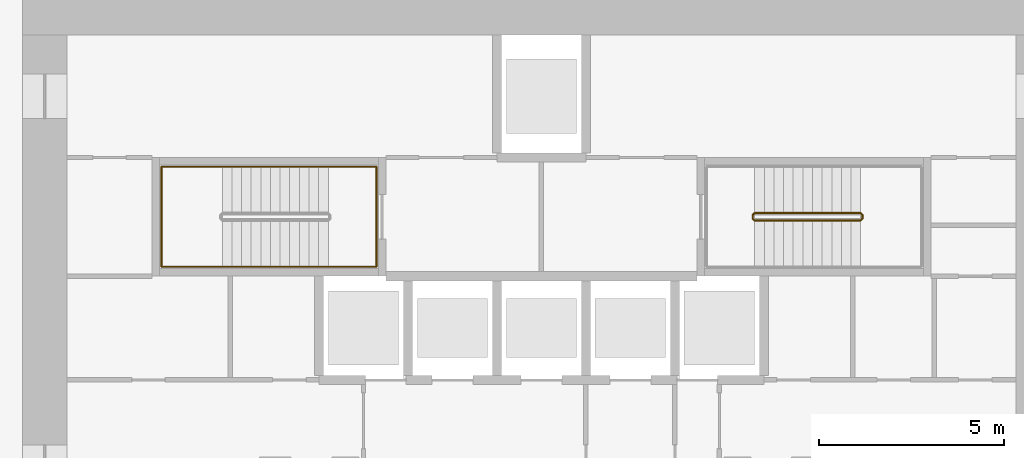
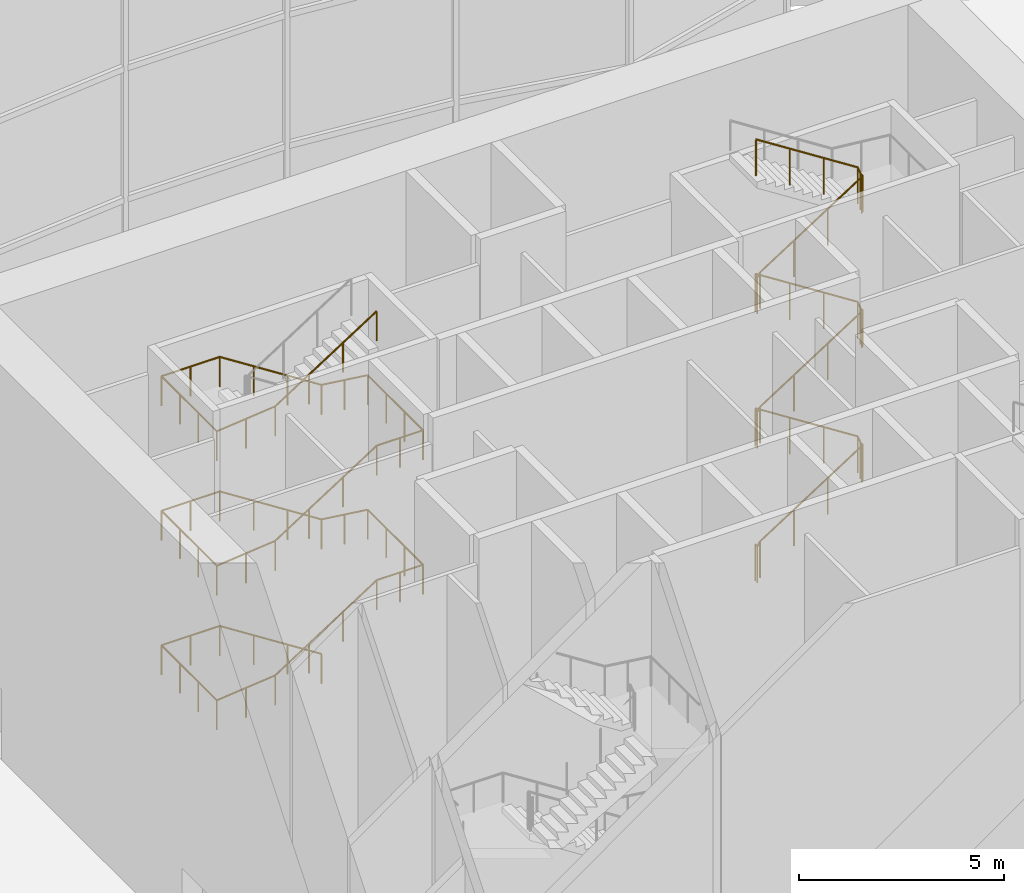
# One storey, part 21 of 25: 2 railings.
"""IFC4 building model written with IfcOpenShell, lengths in metres."""

from ifc_helpers import new_model, si_unit, direction, frame, origin, origin_2d, place, context, subcontext, project, spatial, circle, extrude, source, transform, mapped, material, type_object, element, save


model = new_model("IFC4")

# Units and contexts
model_context = context("Model", 3, precision=1e-05, world=origin(), true_north=direction((0.0, 1.0)))
body_context = subcontext(model_context, "Body", "Model", "MODEL_VIEW")
ifc_project = project(units=[si_unit("LENGTHUNIT", "METRE"), si_unit("AREAUNIT", "SQUARE_METRE"), si_unit("VOLUMEUNIT", "CUBIC_METRE"), si_unit("PLANEANGLEUNIT", "RADIAN"), si_unit("MASSUNIT", "GRAM", prefix="KILO")], contexts=[model_context])

# Site, building, storey
site_placement = place(None, origin())
site = spatial("IfcSite", under=ifc_project, at=site_placement, CompositionType="ELEMENT")
building_placement = place(site_placement, origin())
building = spatial("IfcBuilding", under=site, at=building_placement, Name="Embergate Tower", CompositionType="ELEMENT")
storey_placement = place(building_placement, origin())
storey = spatial("IfcBuildingStorey", under=building, at=storey_placement, Name="L00", CompositionType="ELEMENT", Elevation=0.0)

# Railings
ifc_material_1 = material(Name="Stair handrail 900")
railing_type_1 = type_object("IfcRailingType", Name="Stair handrail 900", PredefinedType="HANDRAIL", material=ifc_material_1)
shared_shape_1 = source(origin(), body_context, "Body", "SweptSolid", [
    extrude(circle(Radius=0.02392578125, at=origin_2d()), frame((0.0, 0.0, 0.8759765625), z_axis=(-0.841899231129, 0.0, 0.539634769658), x_axis=(0.0, -1.0, 0.0)), (0.0, 0.0, 1.0), 3.397216796875),
    extrude(circle(Radius=0.02392578125, at=origin_2d()), frame((-2.860107421875, 0.0, 2.708984375), z_axis=(-1.0, 0.0, 0.0), x_axis=(0.0, -1.0, 0.0)), (0.0, 0.0, 1.0), 1.639892578125),
    extrude(circle(Radius=0.02392578125, at=origin_2d()), frame((-4.5, 0.0, 2.708984375), z_axis=(0.0, -1.0, 0.0), x_axis=(1.0, 0.0, 0.0)), (0.0, 0.0, 1.0), 2.699951171875),
    extrude(circle(Radius=0.02392578125, at=origin_2d()), frame((-4.5, -2.699951171875, 2.708984375), z_axis=(0.99487010061, 0.0, 0.101160678683), x_axis=(0.0, 1.0, 0.0)), (0.0, 0.0, 1.0), 1.6484375),
    extrude(circle(Radius=0.02392578125, at=origin_2d()), frame((-2.860107421875, -2.699951171875, 2.8759765625), z_axis=(0.841899231129, 0.0, 0.539634769658), x_axis=(0.0, 1.0, 0.0)), (0.0, 0.0, 1.0), 3.397216796875),
    extrude(circle(Radius=0.02392578125, at=origin_2d()), frame((0.0, -2.699951171875, 4.708984375), z_axis=(1.0, 0.0, 0.0), x_axis=(0.0, 1.0, 0.0)), (0.0, 0.0, 1.0), 1.300048828125),
    extrude(circle(Radius=0.02392578125, at=origin_2d()), frame((1.300048828125, -2.699951171875, 4.708984375), z_axis=(0.0, 1.0, 0.0), x_axis=(-1.0, 0.0, 0.0)), (0.0, 0.0, 1.0), 2.699951171875),
    extrude(circle(Radius=0.02392578125, at=origin_2d()), frame((1.300048828125, 0.0, 4.708984375), z_axis=(-0.991874434073, 0.0, 0.12722070206), x_axis=(0.0, -1.0, 0.0)), (0.0, 0.0, 1.0), 1.310791015625),
    extrude(circle(Radius=0.02392578125, at=origin_2d()), frame((0.0, 0.0, 4.8759765625), z_axis=(-0.841899231129, 0.0, 0.539634769658), x_axis=(0.0, -1.0, 0.0)), (0.0, 0.0, 1.0), 3.397216796875),
    extrude(circle(Radius=0.02392578125, at=origin_2d()), frame((-2.860107421875, 0.0, 6.708984375), z_axis=(-1.0, 0.0, 0.0), x_axis=(0.0, -1.0, 0.0)), (0.0, 0.0, 1.0), 1.639892578125),
    extrude(circle(Radius=0.02392578125, at=origin_2d()), frame((-4.5, 0.0, 6.708984375), z_axis=(0.0, -1.0, 0.0), x_axis=(1.0, 0.0, 0.0)), (0.0, 0.0, 1.0), 2.699951171875),
    extrude(circle(Radius=0.02392578125, at=origin_2d()), frame((-4.5, -2.699951171875, 6.708984375), z_axis=(0.99487010061, 0.0, 0.101160678683), x_axis=(0.0, 1.0, 0.0)), (0.0, 0.0, 1.0), 1.6484375),
    extrude(circle(Radius=0.02392578125, at=origin_2d()), frame((-2.860107421875, -2.699951171875, 6.8759765625), z_axis=(0.841899231129, 0.0, 0.539634769658), x_axis=(0.0, 1.0, 0.0)), (0.0, 0.0, 1.0), 3.397216796875),
    extrude(circle(Radius=0.02392578125, at=origin_2d()), frame((0.0, -2.699951171875, 8.708984375), z_axis=(1.0, 0.0, 0.0), x_axis=(0.0, 1.0, 0.0)), (0.0, 0.0, 1.0), 1.300048828125),
    extrude(circle(Radius=0.02392578125, at=origin_2d()), frame((1.300048828125, -2.699951171875, 8.708984375), z_axis=(0.0, 1.0, 0.0), x_axis=(-1.0, 0.0, 0.0)), (0.0, 0.0, 1.0), 2.699951171875),
    extrude(circle(Radius=0.02392578125, at=origin_2d()), frame((1.300048828125, 0.0, 8.708984375), z_axis=(-0.991874434073, 0.0, 0.12722070206), x_axis=(0.0, -1.0, 0.0)), (0.0, 0.0, 1.0), 1.310791015625),
    extrude(circle(Radius=0.02392578125, at=origin_2d()), frame((0.0, 0.0, 8.8759765625), z_axis=(-0.841899231129, 0.0, 0.539634769658), x_axis=(0.0, -1.0, 0.0)), (0.0, 0.0, 1.0), 3.397216796875),
    extrude(circle(Radius=0.02392578125, at=origin_2d()), frame((-2.860107421875, 0.0, 10.708984375), z_axis=(-1.0, 0.0, 0.0), x_axis=(0.0, -1.0, 0.0)), (0.0, 0.0, 1.0), 1.639892578125),
    extrude(circle(Radius=0.02392578125, at=origin_2d()), frame((-4.5, 0.0, 10.708984375), z_axis=(0.0, -1.0, 0.0), x_axis=(1.0, 0.0, 0.0)), (0.0, 0.0, 1.0), 2.699951171875),
    extrude(circle(Radius=0.02392578125, at=origin_2d()), frame((-4.5, -2.699951171875, 10.708984375), z_axis=(0.99487010061, 0.0, 0.101160678683), x_axis=(0.0, 1.0, 0.0)), (0.0, 0.0, 1.0), 1.6484375),
    extrude(circle(Radius=0.02392578125, at=origin_2d()), frame((-2.860107421875, -2.699951171875, 10.8759765625), z_axis=(0.841899231129, 0.0, 0.539634769658), x_axis=(0.0, 1.0, 0.0)), (0.0, 0.0, 1.0), 3.397216796875),
    extrude(circle(Radius=0.02099609375, at=origin_2d()), origin(), (0.0, 0.0, 1.0), 0.851806640625),
    extrude(circle(Radius=0.02099609375, at=origin_2d()), frame((-0.953369140625, 0.0, 0.611083984375)), (0.0, 0.0, 1.0), 0.851806640625),
    extrude(circle(Radius=0.02099609375, at=origin_2d()), frame((-1.90673828125, 0.0, 1.22216796875)), (0.0, 0.0, 1.0), 0.851806640625),
    extrude(circle(Radius=0.02099609375, at=origin_2d()), frame((-2.860107421875, 0.0, 1.833251953125)), (0.0, 0.0, 1.0), 0.851806640625),
    extrude(circle(Radius=0.02099609375, at=origin_2d()), frame((-3.68017578125, 0.0, 1.833251953125)), (0.0, 0.0, 1.0), 0.851806640625),
    extrude(circle(Radius=0.02099609375, at=origin_2d()), frame((-4.5, 0.0, 1.833251953125)), (0.0, 0.0, 1.0), 0.851806640625),
    extrude(circle(Radius=0.02099609375, at=origin_2d()), frame((-4.5, -0.89990234375, 1.833251953125)), (0.0, 0.0, 1.0), 0.851806640625),
    extrude(circle(Radius=0.02099609375, at=origin_2d()), frame((-4.5, -1.800048828125, 1.833251953125)), (0.0, 0.0, 1.0), 0.851806640625),
    extrude(circle(Radius=0.02099609375, at=origin_2d()), frame((-4.5, -2.699951171875, 1.833251953125)), (0.0, 0.0, 1.0), 0.851806640625),
    extrude(circle(Radius=0.02099609375, at=origin_2d()), frame((-3.68017578125, -2.699951171875, 1.91650390625)), (0.0, 0.0, 1.0), 0.851806640625),
    extrude(circle(Radius=0.02099609375, at=origin_2d()), frame((-2.860107421875, -2.699951171875, 2.0)), (0.0, 0.0, 1.0), 0.851806640625),
    extrude(circle(Radius=0.02099609375, at=origin_2d()), frame((-1.90673828125, -2.699951171875, 2.611083984375)), (0.0, 0.0, 1.0), 0.851806640625),
    extrude(circle(Radius=0.02099609375, at=origin_2d()), frame((-0.953369140625, -2.699951171875, 3.22216796875)), (0.0, 0.0, 1.0), 0.851806640625),
    extrude(circle(Radius=0.02099609375, at=origin_2d()), frame((0.0, -2.699951171875, 3.833251953125)), (0.0, 0.0, 1.0), 0.851806640625),
    extrude(circle(Radius=0.02099609375, at=origin_2d()), frame((0.64990234375, -2.699951171875, 3.833251953125)), (0.0, 0.0, 1.0), 0.851806640625),
    extrude(circle(Radius=0.02099609375, at=origin_2d()), frame((1.300048828125, -2.699951171875, 3.833251953125)), (0.0, 0.0, 1.0), 0.851806640625),
    extrude(circle(Radius=0.02099609375, at=origin_2d()), frame((1.300048828125, -1.800048828125, 3.833251953125)), (0.0, 0.0, 1.0), 0.851806640625),
    extrude(circle(Radius=0.02099609375, at=origin_2d()), frame((1.300048828125, -0.89990234375, 3.833251953125)), (0.0, 0.0, 1.0), 0.851806640625),
    extrude(circle(Radius=0.02099609375, at=origin_2d()), frame((1.300048828125, 0.0, 3.833251953125)), (0.0, 0.0, 1.0), 0.851806640625),
    extrude(circle(Radius=0.02099609375, at=origin_2d()), frame((0.64990234375, 0.0, 3.91650390625)), (0.0, 0.0, 1.0), 0.851806640625),
    extrude(circle(Radius=0.02099609375, at=origin_2d()), frame((0.0, 0.0, 4.0)), (0.0, 0.0, 1.0), 0.851806640625),
    extrude(circle(Radius=0.02099609375, at=origin_2d()), frame((-0.953369140625, 0.0, 4.611083984375)), (0.0, 0.0, 1.0), 0.851806640625),
    extrude(circle(Radius=0.02099609375, at=origin_2d()), frame((-1.90673828125, 0.0, 5.22216796875)), (0.0, 0.0, 1.0), 0.851806640625),
    extrude(circle(Radius=0.02099609375, at=origin_2d()), frame((-2.860107421875, 0.0, 5.833251953125)), (0.0, 0.0, 1.0), 0.851806640625),
    extrude(circle(Radius=0.02099609375, at=origin_2d()), frame((-3.68017578125, 0.0, 5.833251953125)), (0.0, 0.0, 1.0), 0.851806640625),
    extrude(circle(Radius=0.02099609375, at=origin_2d()), frame((-4.5, 0.0, 5.833251953125)), (0.0, 0.0, 1.0), 0.851806640625),
    extrude(circle(Radius=0.02099609375, at=origin_2d()), frame((-4.5, -0.89990234375, 5.833251953125)), (0.0, 0.0, 1.0), 0.851806640625),
    extrude(circle(Radius=0.02099609375, at=origin_2d()), frame((-4.5, -1.800048828125, 5.833251953125)), (0.0, 0.0, 1.0), 0.851806640625),
    extrude(circle(Radius=0.02099609375, at=origin_2d()), frame((-4.5, -2.699951171875, 5.833251953125)), (0.0, 0.0, 1.0), 0.851806640625),
    extrude(circle(Radius=0.02099609375, at=origin_2d()), frame((-3.68017578125, -2.699951171875, 5.91650390625)), (0.0, 0.0, 1.0), 0.851806640625),
    extrude(circle(Radius=0.02099609375, at=origin_2d()), frame((-2.860107421875, -2.699951171875, 6.0)), (0.0, 0.0, 1.0), 0.851806640625),
    extrude(circle(Radius=0.02099609375, at=origin_2d()), frame((-1.90673828125, -2.699951171875, 6.611083984375)), (0.0, 0.0, 1.0), 0.851806640625),
    extrude(circle(Radius=0.02099609375, at=origin_2d()), frame((-0.953369140625, -2.699951171875, 7.22216796875)), (0.0, 0.0, 1.0), 0.851806640625),
    extrude(circle(Radius=0.02099609375, at=origin_2d()), frame((0.0, -2.699951171875, 7.833251953125)), (0.0, 0.0, 1.0), 0.851806640625),
    extrude(circle(Radius=0.02099609375, at=origin_2d()), frame((0.64990234375, -2.699951171875, 7.833251953125)), (0.0, 0.0, 1.0), 0.851806640625),
    extrude(circle(Radius=0.02099609375, at=origin_2d()), frame((1.300048828125, -2.699951171875, 7.833251953125)), (0.0, 0.0, 1.0), 0.851806640625),
    extrude(circle(Radius=0.02099609375, at=origin_2d()), frame((1.300048828125, -1.800048828125, 7.833251953125)), (0.0, 0.0, 1.0), 0.851806640625),
    extrude(circle(Radius=0.02099609375, at=origin_2d()), frame((1.300048828125, -0.89990234375, 7.833251953125)), (0.0, 0.0, 1.0), 0.851806640625),
    extrude(circle(Radius=0.02099609375, at=origin_2d()), frame((1.300048828125, 0.0, 7.833251953125)), (0.0, 0.0, 1.0), 0.851806640625),
    extrude(circle(Radius=0.02099609375, at=origin_2d()), frame((0.64990234375, 0.0, 7.91650390625)), (0.0, 0.0, 1.0), 0.851806640625),
    extrude(circle(Radius=0.02099609375, at=origin_2d()), frame((0.0, 0.0, 8.0)), (0.0, 0.0, 1.0), 0.851806640625),
    extrude(circle(Radius=0.02099609375, at=origin_2d()), frame((-0.953369140625, 0.0, 8.611083984375)), (0.0, 0.0, 1.0), 0.851806640625),
    extrude(circle(Radius=0.02099609375, at=origin_2d()), frame((-1.90673828125, 0.0, 9.22216796875)), (0.0, 0.0, 1.0), 0.851806640625),
    extrude(circle(Radius=0.02099609375, at=origin_2d()), frame((-2.860107421875, 0.0, 9.833251953125)), (0.0, 0.0, 1.0), 0.851806640625),
    extrude(circle(Radius=0.02099609375, at=origin_2d()), frame((-3.68017578125, 0.0, 9.833251953125)), (0.0, 0.0, 1.0), 0.851806640625),
    extrude(circle(Radius=0.02099609375, at=origin_2d()), frame((-4.5, 0.0, 9.833251953125)), (0.0, 0.0, 1.0), 0.851806640625),
    extrude(circle(Radius=0.02099609375, at=origin_2d()), frame((-4.5, -0.89990234375, 9.833251953125)), (0.0, 0.0, 1.0), 0.851806640625),
    extrude(circle(Radius=0.02099609375, at=origin_2d()), frame((-4.5, -1.800048828125, 9.833251953125)), (0.0, 0.0, 1.0), 0.851806640625),
    extrude(circle(Radius=0.02099609375, at=origin_2d()), frame((-4.5, -2.699951171875, 9.833251953125)), (0.0, 0.0, 1.0), 0.851806640625),
    extrude(circle(Radius=0.02099609375, at=origin_2d()), frame((-3.68017578125, -2.699951171875, 9.91650390625)), (0.0, 0.0, 1.0), 0.851806640625),
    extrude(circle(Radius=0.02099609375, at=origin_2d()), frame((-2.860107421875, -2.699951171875, 10.0)), (0.0, 0.0, 1.0), 0.851806640625),
    extrude(circle(Radius=0.02099609375, at=origin_2d()), frame((-1.90673828125, -2.699951171875, 10.611083984375)), (0.0, 0.0, 1.0), 0.851806640625),
    extrude(circle(Radius=0.02099609375, at=origin_2d()), frame((-0.953369140625, -2.699951171875, 11.22216796875)), (0.0, 0.0, 1.0), 0.851806640625),
    extrude(circle(Radius=0.02099609375, at=origin_2d()), frame((0.0, -2.699951171875, 11.833251953125)), (0.0, 0.0, 1.0), 0.851806640625),
])
railing_1_placement = place(storey_placement, frame((-5.75, 8.25, 0.166748046875)))
element("IfcRailing", 1, at=railing_1_placement, inside=storey, type_object=railing_type_1, Name="L00 ST1 stair handrail 1", PredefinedType="HANDRAIL", context=body_context, shape_type="MappedRepresentation", body=[
    mapped(shared_shape_1, transform((0.0, 0.0, 0.0))),
])
ifc_material_2 = material(Name="Stair guard 1100")
railing_type_2 = type_object("IfcRailingType", Name="Stair guard 1100", PredefinedType="GUARDRAIL", material=ifc_material_2)
shared_shape_2 = source(origin(), body_context, "Body", "SweptSolid", [
    extrude(circle(Radius=0.02392578125, at=origin_2d()), frame((0.0, 0.0, 1.076171875), z_axis=(0.0, -1.0, 0.0), x_axis=(1.0, 0.0, 0.0)), (0.0, 0.0, 1.0), 0.099853515625),
    extrude(circle(Radius=0.02392578125, at=origin_2d()), frame((0.0, -0.099853515625, 1.076171875), z_axis=(0.27628659633, -0.27628659633, 0.920506074601), x_axis=(0.707106781187, 0.707106781187, 0.0)), (0.0, 0.0, 1.0), 0.18115234375),
    extrude(circle(Radius=0.02392578125, at=origin_2d()), frame((0.050048828125, -0.14990234375, 1.24267578125), z_axis=(0.841899231129, 0.0, 0.539634769658), x_axis=(0.0, 1.0, 0.0)), (0.0, 0.0, 1.0), 3.397216796875),
    extrude(circle(Radius=0.02392578125, at=origin_2d()), frame((2.91015625, -0.14990234375, 3.076171875), z_axis=(0.705375805398, 0.708833529934, 0.0), x_axis=(-0.708833529934, 0.705375805398, 0.0)), (0.0, 0.0, 1.0), 0.070556640625),
    extrude(circle(Radius=0.02392578125, at=origin_2d()), frame((2.9599609375, -0.099853515625, 3.076171875), z_axis=(0.0, 1.0, 0.0), x_axis=(-1.0, 0.0, 0.0)), (0.0, 0.0, 1.0), 0.099853515625),
    extrude(circle(Radius=0.02392578125, at=origin_2d()), frame((2.9599609375, 0.0, 3.076171875), z_axis=(-0.275041040955, 0.276389281352, 0.920848191041), x_axis=(-0.708833529934, -0.705375805398, 0.0)), (0.0, 0.0, 1.0), 0.18115234375),
    extrude(circle(Radius=0.02392578125, at=origin_2d()), frame((2.91015625, 0.050048828125, 3.24267578125), z_axis=(-0.841899231129, 0.0, 0.539634769658), x_axis=(0.0, -1.0, 0.0)), (0.0, 0.0, 1.0), 3.397216796875),
    extrude(circle(Radius=0.02392578125, at=origin_2d()), frame((0.050048828125, 0.050048828125, 5.076171875), z_axis=(-0.707106781187, -0.707106781187, 0.0), x_axis=(0.707106781187, -0.707106781187, 0.0)), (0.0, 0.0, 1.0), 0.07080078125),
    extrude(circle(Radius=0.02392578125, at=origin_2d()), frame((0.0, 0.0, 5.076171875), z_axis=(0.0, -1.0, 0.0), x_axis=(1.0, 0.0, 0.0)), (0.0, 0.0, 1.0), 0.099853515625),
    extrude(circle(Radius=0.02392578125, at=origin_2d()), frame((0.0, -0.099853515625, 5.076171875), z_axis=(0.27628659633, -0.27628659633, 0.920506074601), x_axis=(0.707106781187, 0.707106781187, 0.0)), (0.0, 0.0, 1.0), 0.18115234375),
    extrude(circle(Radius=0.02392578125, at=origin_2d()), frame((0.050048828125, -0.14990234375, 5.24267578125), z_axis=(0.841899231129, 0.0, 0.539634769658), x_axis=(0.0, 1.0, 0.0)), (0.0, 0.0, 1.0), 3.397216796875),
    extrude(circle(Radius=0.02392578125, at=origin_2d()), frame((2.91015625, -0.14990234375, 7.076171875), z_axis=(0.705375805398, 0.708833529934, 0.0), x_axis=(-0.708833529934, 0.705375805398, 0.0)), (0.0, 0.0, 1.0), 0.070556640625),
    extrude(circle(Radius=0.02392578125, at=origin_2d()), frame((2.9599609375, -0.099853515625, 7.076171875), z_axis=(0.0, 1.0, 0.0), x_axis=(-1.0, 0.0, 0.0)), (0.0, 0.0, 1.0), 0.099853515625),
    extrude(circle(Radius=0.02392578125, at=origin_2d()), frame((2.9599609375, 0.0, 7.076171875), z_axis=(-0.275041040955, 0.276389281352, 0.920848191041), x_axis=(-0.708833529934, -0.705375805398, 0.0)), (0.0, 0.0, 1.0), 0.18115234375),
    extrude(circle(Radius=0.02392578125, at=origin_2d()), frame((2.91015625, 0.050048828125, 7.24267578125), z_axis=(-0.841899231129, 0.0, 0.539634769658), x_axis=(0.0, -1.0, 0.0)), (0.0, 0.0, 1.0), 3.397216796875),
    extrude(circle(Radius=0.02392578125, at=origin_2d()), frame((0.050048828125, 0.050048828125, 9.076171875), z_axis=(-0.707106781187, -0.707106781187, 0.0), x_axis=(0.707106781187, -0.707106781187, 0.0)), (0.0, 0.0, 1.0), 0.07080078125),
    extrude(circle(Radius=0.02392578125, at=origin_2d()), frame((0.0, 0.0, 9.076171875), z_axis=(0.0, -1.0, 0.0), x_axis=(1.0, 0.0, 0.0)), (0.0, 0.0, 1.0), 0.099853515625),
    extrude(circle(Radius=0.02392578125, at=origin_2d()), frame((0.0, -0.099853515625, 9.076171875), z_axis=(0.27628659633, -0.27628659633, 0.920506074601), x_axis=(0.707106781187, 0.707106781187, 0.0)), (0.0, 0.0, 1.0), 0.18115234375),
    extrude(circle(Radius=0.02392578125, at=origin_2d()), frame((0.050048828125, -0.14990234375, 9.24267578125), z_axis=(0.841899231129, 0.0, 0.539634769658), x_axis=(0.0, 1.0, 0.0)), (0.0, 0.0, 1.0), 3.397216796875),
    extrude(circle(Radius=0.02392578125, at=origin_2d()), frame((2.91015625, -0.14990234375, 11.076171875), z_axis=(0.705375805398, 0.708833529934, 0.0), x_axis=(-0.708833529934, 0.705375805398, 0.0)), (0.0, 0.0, 1.0), 0.070556640625),
    extrude(circle(Radius=0.02392578125, at=origin_2d()), frame((2.9599609375, -0.099853515625, 11.076171875), z_axis=(0.0, 1.0, 0.0), x_axis=(-1.0, 0.0, 0.0)), (0.0, 0.0, 1.0), 0.099853515625),
    extrude(circle(Radius=0.02392578125, at=origin_2d()), frame((2.9599609375, 0.0, 11.076171875), z_axis=(-0.275041040955, 0.276389281352, 0.920848191041), x_axis=(-0.708833529934, -0.705375805398, 0.0)), (0.0, 0.0, 1.0), 0.18115234375),
    extrude(circle(Radius=0.02392578125, at=origin_2d()), frame((2.91015625, 0.050048828125, 11.24267578125), z_axis=(-0.841899231129, 0.0, 0.539634769658), x_axis=(0.0, -1.0, 0.0)), (0.0, 0.0, 1.0), 3.397216796875),
    extrude(circle(Radius=0.02099609375, at=origin_2d()), origin(), (0.0, 0.0, 1.0), 1.052001953125),
    extrude(circle(Radius=0.02099609375, at=origin_2d()), frame((0.0, -0.099853515625, 0.0)), (0.0, 0.0, 1.0), 1.052001953125),
    extrude(circle(Radius=0.02099609375, at=origin_2d()), frame((0.050048828125, -0.14990234375, 0.166748046875)), (0.0, 0.0, 1.0), 1.052001953125),
    extrude(circle(Radius=0.02099609375, at=origin_2d()), frame((1.00341796875, -0.14990234375, 0.77783203125)), (0.0, 0.0, 1.0), 1.052001953125),
    extrude(circle(Radius=0.02099609375, at=origin_2d()), frame((1.956787109375, -0.14990234375, 1.388916015625)), (0.0, 0.0, 1.0), 1.052001953125),
    extrude(circle(Radius=0.02099609375, at=origin_2d()), frame((2.91015625, -0.14990234375, 2.0)), (0.0, 0.0, 1.0), 1.052001953125),
    extrude(circle(Radius=0.02099609375, at=origin_2d()), frame((2.9599609375, -0.099853515625, 2.0)), (0.0, 0.0, 1.0), 1.052001953125),
    extrude(circle(Radius=0.02099609375, at=origin_2d()), frame((2.9599609375, 0.0, 2.0)), (0.0, 0.0, 1.0), 1.052001953125),
    extrude(circle(Radius=0.02099609375, at=origin_2d()), frame((2.91015625, 0.050048828125, 2.166748046875)), (0.0, 0.0, 1.0), 1.052001953125),
    extrude(circle(Radius=0.02099609375, at=origin_2d()), frame((1.956787109375, 0.050048828125, 2.77783203125)), (0.0, 0.0, 1.0), 1.052001953125),
    extrude(circle(Radius=0.02099609375, at=origin_2d()), frame((1.00341796875, 0.050048828125, 3.388916015625)), (0.0, 0.0, 1.0), 1.052001953125),
    extrude(circle(Radius=0.02099609375, at=origin_2d()), frame((0.050048828125, 0.050048828125, 4.0)), (0.0, 0.0, 1.0), 1.052001953125),
    extrude(circle(Radius=0.02099609375, at=origin_2d()), frame((0.0, 0.0, 4.0)), (0.0, 0.0, 1.0), 1.052001953125),
    extrude(circle(Radius=0.02099609375, at=origin_2d()), frame((0.0, -0.099853515625, 4.0)), (0.0, 0.0, 1.0), 1.052001953125),
    extrude(circle(Radius=0.02099609375, at=origin_2d()), frame((0.050048828125, -0.14990234375, 4.166748046875)), (0.0, 0.0, 1.0), 1.052001953125),
    extrude(circle(Radius=0.02099609375, at=origin_2d()), frame((1.00341796875, -0.14990234375, 4.77783203125)), (0.0, 0.0, 1.0), 1.052001953125),
    extrude(circle(Radius=0.02099609375, at=origin_2d()), frame((1.956787109375, -0.14990234375, 5.388916015625)), (0.0, 0.0, 1.0), 1.052001953125),
    extrude(circle(Radius=0.02099609375, at=origin_2d()), frame((2.91015625, -0.14990234375, 6.0)), (0.0, 0.0, 1.0), 1.052001953125),
    extrude(circle(Radius=0.02099609375, at=origin_2d()), frame((2.9599609375, -0.099853515625, 6.0)), (0.0, 0.0, 1.0), 1.052001953125),
    extrude(circle(Radius=0.02099609375, at=origin_2d()), frame((2.9599609375, 0.0, 6.0)), (0.0, 0.0, 1.0), 1.052001953125),
    extrude(circle(Radius=0.02099609375, at=origin_2d()), frame((2.91015625, 0.050048828125, 6.166748046875)), (0.0, 0.0, 1.0), 1.052001953125),
    extrude(circle(Radius=0.02099609375, at=origin_2d()), frame((1.956787109375, 0.050048828125, 6.77783203125)), (0.0, 0.0, 1.0), 1.052001953125),
    extrude(circle(Radius=0.02099609375, at=origin_2d()), frame((1.00341796875, 0.050048828125, 7.388916015625)), (0.0, 0.0, 1.0), 1.052001953125),
    extrude(circle(Radius=0.02099609375, at=origin_2d()), frame((0.050048828125, 0.050048828125, 8.0)), (0.0, 0.0, 1.0), 1.052001953125),
    extrude(circle(Radius=0.02099609375, at=origin_2d()), frame((0.0, 0.0, 8.0)), (0.0, 0.0, 1.0), 1.052001953125),
    extrude(circle(Radius=0.02099609375, at=origin_2d()), frame((0.0, -0.099853515625, 8.0)), (0.0, 0.0, 1.0), 1.052001953125),
    extrude(circle(Radius=0.02099609375, at=origin_2d()), frame((0.050048828125, -0.14990234375, 8.166748046875)), (0.0, 0.0, 1.0), 1.052001953125),
    extrude(circle(Radius=0.02099609375, at=origin_2d()), frame((1.00341796875, -0.14990234375, 8.77783203125)), (0.0, 0.0, 1.0), 1.052001953125),
    extrude(circle(Radius=0.02099609375, at=origin_2d()), frame((1.956787109375, -0.14990234375, 9.388916015625)), (0.0, 0.0, 1.0), 1.052001953125),
    extrude(circle(Radius=0.02099609375, at=origin_2d()), frame((2.91015625, -0.14990234375, 10.0)), (0.0, 0.0, 1.0), 1.052001953125),
    extrude(circle(Radius=0.02099609375, at=origin_2d()), frame((2.9599609375, -0.099853515625, 10.0)), (0.0, 0.0, 1.0), 1.052001953125),
    extrude(circle(Radius=0.02099609375, at=origin_2d()), frame((2.9599609375, 0.0, 10.0)), (0.0, 0.0, 1.0), 1.052001953125),
    extrude(circle(Radius=0.02099609375, at=origin_2d()), frame((2.91015625, 0.050048828125, 10.166748046875)), (0.0, 0.0, 1.0), 1.052001953125),
    extrude(circle(Radius=0.02099609375, at=origin_2d()), frame((1.956787109375, 0.050048828125, 10.77783203125)), (0.0, 0.0, 1.0), 1.052001953125),
    extrude(circle(Radius=0.02099609375, at=origin_2d()), frame((1.00341796875, 0.050048828125, 11.388916015625)), (0.0, 0.0, 1.0), 1.052001953125),
    extrude(circle(Radius=0.02099609375, at=origin_2d()), frame((0.050048828125, 0.050048828125, 12.0)), (0.0, 0.0, 1.0), 1.052001953125),
])
railing_2_placement = place(storey_placement, frame((5.699951171875, 6.949951171875, 0.0)))
element("IfcRailing", 2, at=railing_2_placement, inside=storey, type_object=railing_type_2, Name="L00 ST2 stair guard 1", PredefinedType="GUARDRAIL", context=body_context, shape_type="MappedRepresentation", body=[
    mapped(shared_shape_2, transform((0.0, 0.0, 0.0))),
])

save(model, "model.ifc")
